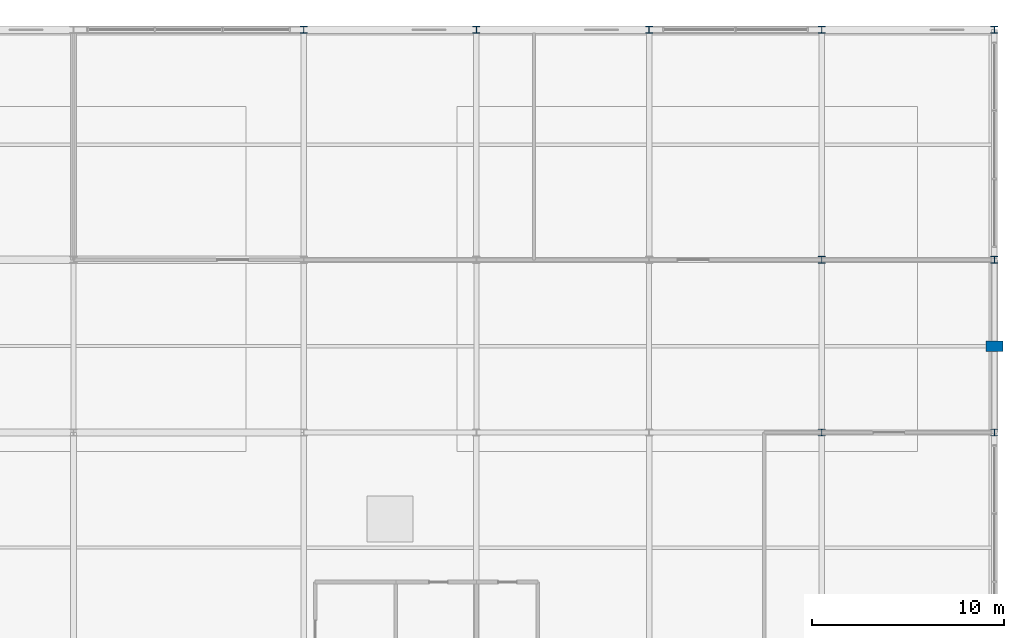
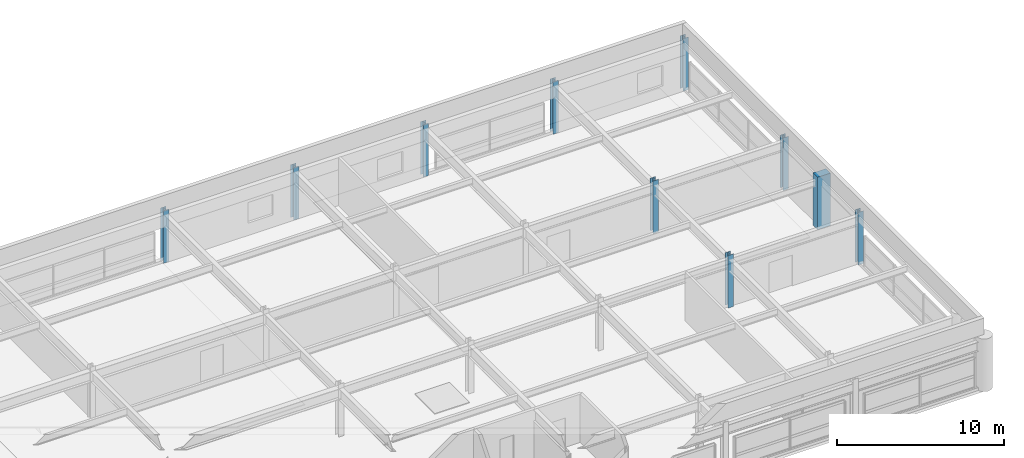
# One storey, part 18 of 108: 10 columns.
"""IFC4 building model written with IfcOpenShell, lengths in metres."""

from ifc_helpers import new_model, si_unit, direction, frame, origin, origin_2d, place, context, subcontext, project, spatial, rectangle, i_section, extrude, material, material_profile, profile_set, type_object, element, save


model = new_model("IFC4")

# Units and contexts
model_context = context("Model", 3, precision=1e-05, world=origin(), true_north=direction((0.0, 1.0)))
body_context = subcontext(model_context, "Body", "Model", "MODEL_VIEW")
ifc_project = project(units=[si_unit("LENGTHUNIT", "METRE"), si_unit("AREAUNIT", "SQUARE_METRE"), si_unit("VOLUMEUNIT", "CUBIC_METRE"), si_unit("PLANEANGLEUNIT", "RADIAN"), si_unit("MASSUNIT", "GRAM", prefix="KILO")], contexts=[model_context])

# Site, building, storey
site_placement = place(None, origin())
site = spatial("IfcSite", under=ifc_project, at=site_placement, CompositionType="ELEMENT")
building_placement = place(site_placement, origin())
building = spatial("IfcBuilding", under=site, at=building_placement, Name="Kaldorvane Square Convention Centre", CompositionType="ELEMENT")
storey_placement = place(building_placement, frame((0.0, 0.0, 23.399993896484375)))
storey = spatial("IfcBuildingStorey", under=building, at=storey_placement, Name="L04", CompositionType="ELEMENT", Elevation=23.399993896484375)

# Columns
ifc_material_1 = material(Name="Steel ASTM A992 Gr. 50", Category="steel")
ifc_material_profile_1 = material_profile(ifc_material_1, i_section(OverallWidth=0.3701019287109375, OverallDepth=0.360198974609375, WebThickness=0.012298583984375, FlangeThickness=0.019805908203125, FilletRadius=0.0305023193359375, at=origin_2d()), Name="W14X99")
ifc_profile_set_1 = profile_set([ifc_material_profile_1], Name="Steel ASTM A992 Gr. 50")
column_type_1 = type_object("IfcColumnType", Name="COL-STL-99", PredefinedType="COLUMN", material=ifc_profile_set_1)
for number, where, z_axis, x_axis, name in (
    (1, (138.0, 117.0, 0.0), (0.0, 0.0, 1.0), (1.0, 0.0, 0.0), "Column SC-12 (L04)"),
    (2, (147.0, 117.0, 0.0), (0.0, 0.0, 1.0), (1.0, 0.0, 0.0), "Column SC-12 (L04)"),
    (3, (156.0, 117.0, 0.0), (0.0, 0.0, 1.0), (1.0, 0.0, 0.0), "Column SC-12 (L04)"),
    (4, (165.0, 96.0, 0.0), (0.0, 0.0, 1.0), (1.0, 0.0, 0.0), "Column SC-12 (L04)"),
    (5, (165.0, 105.0, 0.0), (0.0, 0.0, 1.0), (1.0, 0.0, 0.0), "Column SC-12 (L04)"),
    (6, (165.0, 117.0, 0.0), (0.0, 0.0, 1.0), (1.0, 0.0, 0.0), "Column SC-12 (L04)"),
    (7, (174.0, 96.0, 0.0), (0.0, 0.0, 1.0), (1.0, 0.0, 0.0), "Column SC-12 (L04)"),
    (8, (174.0, 105.0, 0.0), (0.0, 0.0, 1.0), (1.0, 0.0, 0.0), "Column SC-12 (L04)"),
    (9, (174.0, 117.0, 0.0), (0.0, 0.0, 1.0), (1.0, 0.0, 0.0), "Column SC-12 (L04)"),
):
    element("IfcColumn", number, at=place(storey_placement, frame(where, z_axis=z_axis, x_axis=x_axis)), inside=storey, type_object=column_type_1, Name=name, PredefinedType="COLUMN", context=body_context, shape_type="SweptSolid", body=[
        extrude(i_section(OverallWidth=0.3701019287109375, OverallDepth=0.360198974609375, WebThickness=0.012298583984375, FlangeThickness=0.019805908203125, FilletRadius=0.0305023193359375, at=origin_2d()), origin(), (0.0, 0.0, 1.0), 3.850006103515625),
    ])
ifc_material_2 = material(Name="Concrete f'c = 42 MPa (Normalweight)", Category="concrete")
ifc_material_profile_2 = material_profile(ifc_material_2, rectangle(XDim=0.5500030517578125, YDim=0.899993896484375, at=origin_2d()), Name="PIL900X550")
ifc_profile_set_2 = profile_set([ifc_material_profile_2], Name="Concrete f'c = 42 MPa (Normalweight)")
column_type_2 = type_object("IfcColumnType", Name="PIL-BRUT-900", PredefinedType="PILASTER", material=ifc_profile_set_2)
column_placement = place(storey_placement, frame((174.0, 100.5, 0.0), z_axis=(0.0, 0.0, 1.0), x_axis=(0.0, 1.0, 0.0)))
element("IfcColumn", 10, at=column_placement, inside=storey, type_object=column_type_2, Name="Brutalist Colonnade Pilaster (L04)", PredefinedType="PILASTER", context=body_context, shape_type="SweptSolid", body=[
    extrude(rectangle(XDim=0.5500030517578125, YDim=0.899993896484375, at=origin_2d()), origin(), (0.0, 0.0, 1.0), 3.850006103515625),
])

save(model, "model.ifc")
